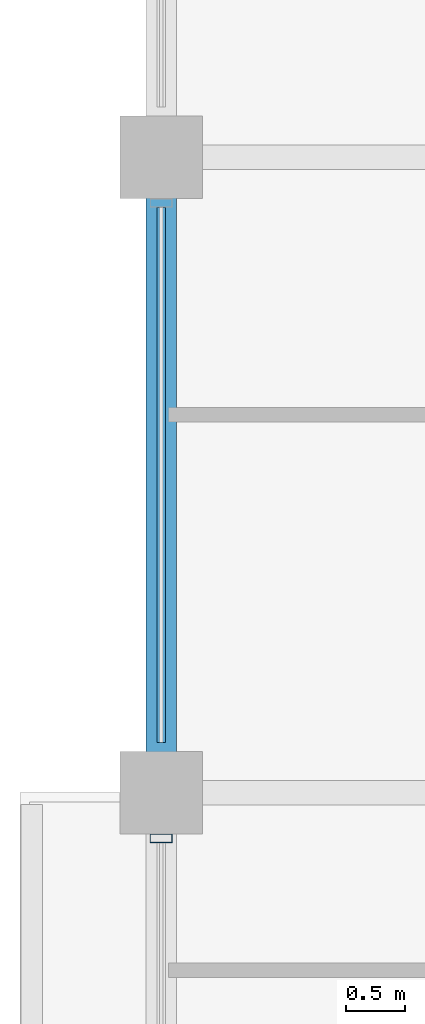
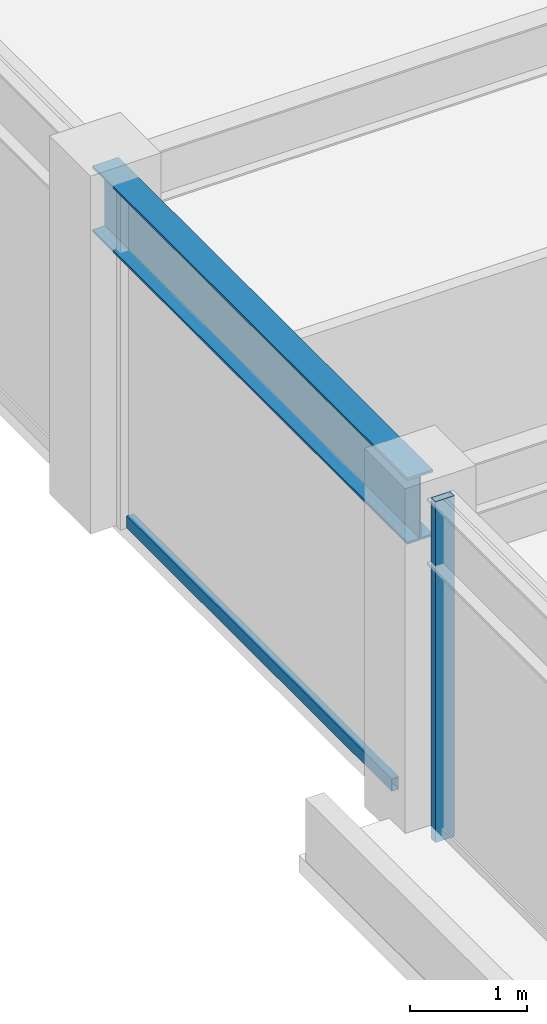
# One storey, part 10 of 30: 2 members, 1 beam, 1 element without a shape of its own.
"""IFC4 building model written with IfcOpenShell, lengths in metres."""

import ifcopenshell
import ifcopenshell.guid

model = None  # the IFC model being written
_history = None  # IfcOwnerHistory: only IFC2X3 demands one
_inside = {}  # id of a spatial element -> (the spatial element, [elements in it])
_under = {}  # id of a project, library or spatial element -> (it, [spatial elements below it])
_declared = {}  # id of a project -> (the project, [libraries it declares])
_typed = {}  # id of a type object -> (the type object, [elements of that type])
_made_of = {}  # id of a material, layer set ... -> (it, [elements and type objects made of it])


def new_model(schema):
    """Start an empty IFC model of exactly this schema.

    Asked for "IFC4X3", IfcOpenShell would pick the latest addendum, in which some entities
    have other attributes; the version numbers below select the first issue.
    IFC2X3 requires an IfcOwnerHistory on every rooted entity: one is made here for all.
    """
    global model, _history
    if schema == "IFC4X3":
        model = ifcopenshell.file(schema_version=(4, 3, 0, 0))
    else:
        model = ifcopenshell.file(schema=schema)
    _inside.clear()
    _under.clear()
    _declared.clear()
    _typed.clear()
    _made_of.clear()
    _history = None
    if model.schema == "IFC2X3":
        org = make("IfcOrganization", Name="unknown")
        user = make(
            "IfcPersonAndOrganization",
            ThePerson=make("IfcPerson", FamilyName="unknown"),
            TheOrganization=org,
        )
        app = make(
            "IfcApplication",
            ApplicationDeveloper=org,
            Version="unknown",
            ApplicationFullName="unknown",
            ApplicationIdentifier="unknown",
        )
        _history = make(
            "IfcOwnerHistory",
            OwningUser=user,
            OwningApplication=app,
            ChangeAction="ADDED",
            CreationDate=0,
        )
    return model


def make(cls, **values):
    """One entity of the class cls with the attributes given. An attribute that is None is left unset."""
    return model.create_entity(
        cls, **{name: value for name, value in values.items() if value is not None}
    )


def rooted(cls, **values):
    """An entity with a GlobalId (a new one), such as an element, a storey or a relation."""
    return make(cls, GlobalId=ifcopenshell.guid.new(), OwnerHistory=_history, **values)


def si_unit(unit_type, name, prefix=None):
    """IfcSIUnit, for example si_unit("LENGTHUNIT", "METRE", prefix="MILLI")."""
    return make("IfcSIUnit", UnitType=unit_type, Prefix=prefix, Name=name)


def assignment(units):
    """IfcUnitAssignment: the units of a project."""
    return None if units is None else make("IfcUnitAssignment", Units=units)


def point(xyz):
    """IfcCartesianPoint."""
    return None if xyz is None else make("IfcCartesianPoint", Coordinates=xyz)


def direction(xyz):
    """IfcDirection."""
    return None if xyz is None else make("IfcDirection", DirectionRatios=xyz)


def frame(location, z_axis=None, x_axis=None):
    """IfcAxis2Placement3D, a coordinate frame: its origin and axes. An axis left out is left unset."""
    return make(
        "IfcAxis2Placement3D",
        Location=point(location),
        Axis=direction(z_axis),
        RefDirection=direction(x_axis),
    )


def frame_2d(location, x_axis=None):
    """IfcAxis2Placement2D, a coordinate frame in the plane: its origin and x axis."""
    return make(
        "IfcAxis2Placement2D", Location=point(location), RefDirection=direction(x_axis)
    )


def origin():
    """The frame at (0, 0, 0) with its axes left unset."""
    return frame((0.0, 0.0, 0.0))


def origin_2d():
    """The frame at (0, 0) in the plane with its x axis left unset."""
    return frame_2d((0.0, 0.0))


def place(relative_to, where):
    """IfcLocalPlacement: puts the frame where relative to a parent placement (None: the world)."""
    return make(
        "IfcLocalPlacement", PlacementRelTo=relative_to, RelativePlacement=where
    )


def context(
    kind, dimensions, precision=None, world=None, true_north=None, identifier=None
):
    """IfcGeometricRepresentationContext, for example the 3D "Model" context."""
    return make(
        "IfcGeometricRepresentationContext",
        ContextIdentifier=identifier,
        ContextType=kind,
        CoordinateSpaceDimension=dimensions,
        Precision=precision,
        WorldCoordinateSystem=world,
        TrueNorth=true_north,
    )


def subcontext(parent, identifier, kind, view, scale=None):
    """IfcGeometricRepresentationSubContext, for example "Body" below "Model"."""
    return make(
        "IfcGeometricRepresentationSubContext",
        ContextIdentifier=identifier,
        ContextType=kind,
        ParentContext=parent,
        TargetScale=scale,
        TargetView=view,
    )


def project(units=None, contexts=None):
    """IfcProject with its units and contexts."""
    return rooted(
        "IfcProject",
        Name="project",
        RepresentationContexts=contexts,
        UnitsInContext=assignment(units),
    )


def spatial(cls, under=None, at=None, **own):
    """A site, building, storey or space (cls), placed at a placement, below another one or the project."""
    s = rooted(cls, ObjectPlacement=at, **own)
    if under is not None:
        _under.setdefault(under.id(), (under, []))[1].append(s)
    return s


def profile(cls, at=None, kind="AREA", **sizes):
    """A parametric profile (cls). Its sizes go by their IFC names, for example OverallWidth=200.0."""
    return make(cls, ProfileType=kind, Position=at, **sizes)


def hollow_rectangle(**sizes):
    """IfcRectangleHollowProfileDef."""
    return profile("IfcRectangleHollowProfileDef", **sizes)


def i_section(**sizes):
    """IfcIShapeProfileDef."""
    return profile("IfcIShapeProfileDef", **sizes)


def extrude(swept, where, along, depth):
    """IfcExtrudedAreaSolid: the profile swept, set in the frame where, extruded along a direction by depth."""
    return make(
        "IfcExtrudedAreaSolid",
        SweptArea=swept,
        Position=where,
        ExtrudedDirection=direction(along),
        Depth=depth,
    )


def shape(context_of_items, identifier, shape_type, items):
    """IfcShapeRepresentation: the items that make up one representation, for example the "Body"."""
    return make(
        "IfcShapeRepresentation",
        ContextOfItems=context_of_items,
        RepresentationIdentifier=identifier,
        RepresentationType=shape_type,
        Items=items,
    )


def material(Name=None, Category=None):
    """IfcMaterial."""
    return make("IfcMaterial", Name=Name, Category=Category)


def layer(
    of_material, thickness, ventilated=None, Name=None, Category=None, Priority=None
):
    """IfcMaterialLayer: one layer of a wall or slab, of a material (None: an air gap)."""
    return make(
        "IfcMaterialLayer",
        Material=of_material,
        LayerThickness=thickness,
        IsVentilated=ventilated,
        Name=Name,
        Category=Category,
        Priority=Priority,
    )


def layer_set(layers, Name=None):
    """IfcMaterialLayerSet."""
    return make("IfcMaterialLayerSet", MaterialLayers=layers, LayerSetName=Name)


def material_profile(
    of_material, cross_section, Name=None, Category=None, Priority=None
):
    """IfcMaterialProfile: a cross section and its material."""
    return make(
        "IfcMaterialProfile",
        Name=Name,
        Material=of_material,
        Profile=cross_section,
        Priority=Priority,
        Category=Category,
    )


def profile_set(profiles, Name=None, composite=None):
    """IfcMaterialProfileSet."""
    return make(
        "IfcMaterialProfileSet",
        Name=Name,
        MaterialProfiles=profiles,
        CompositeProfile=composite,
    )


def made_of(thing, what):
    """Note that an element or type object is made of a material, layer set ...; save() writes the relation."""
    if what is not None:
        _made_of.setdefault(what.id(), (what, []))[1].append(thing)
    return thing


def type_object(cls, material=None, **own):
    """A type object (cls), such as IfcWallType, which elements share."""
    return made_of(rooted(cls, **own), material)


def element(
    cls,
    number,
    at=None,
    inside=None,
    cuts=None,
    type_object=None,
    material=None,
    context=None,
    identifier="Body",
    shape_type=None,
    held_by="IfcProductDefinitionShape",
    body=None,
    shapes=None,
    **own,
):
    """One element of the class cls, such as IfcWall. Its Tag is "e" and its number.

    at: its placement. inside: the storey or other place that contains it. cuts: it is an
    opening in that element (IfcRelVoidsElement). A single representation is given by context,
    identifier, shape_type and body (its items); several are given by shapes. held_by: the class
    of the entity that holds the representations. save() writes the other relations.
    """
    e = rooted(cls, Tag="e%d" % number, ObjectPlacement=at, **own)
    if body is not None:
        shapes = [shape(context, identifier, shape_type, body)]
    if shapes is not None:
        e.Representation = make(held_by, Representations=shapes)
    if inside is not None:
        _inside.setdefault(inside.id(), (inside, []))[1].append(e)
    if cuts is not None:
        rooted(
            "IfcRelVoidsElement", RelatingBuildingElement=cuts, RelatedOpeningElement=e
        )
    if type_object is not None:
        _typed.setdefault(type_object.id(), (type_object, []))[1].append(e)
    return made_of(e, material)


def aggregate(whole, parts):
    """IfcRelAggregates: a whole, such as a stair, and the parts it consists of."""
    return rooted("IfcRelAggregates", RelatingObject=whole, RelatedObjects=parts)


def save(model, path):
    """Write the relations noted so far, then the file.

    IfcRelAggregates (storeys below a building ...), IfcRelContainedInSpatialStructure (elements
    in a storey), IfcRelDefinesByType, IfcRelAssociatesMaterial and IfcRelDeclares: one each for
    every whole, place, type object, material and project.
    """
    for whole, parts in _under.values():
        aggregate(whole, parts)
    for where, things in _inside.values():
        rooted(
            "IfcRelContainedInSpatialStructure",
            RelatedElements=things,
            RelatingStructure=where,
        )
    for kind, things in _typed.values():
        rooted("IfcRelDefinesByType", RelatedObjects=things, RelatingType=kind)
    for what, things in _made_of.values():
        rooted("IfcRelAssociatesMaterial", RelatedObjects=things, RelatingMaterial=what)
    for by, libraries in _declared.values():
        rooted("IfcRelDeclares", RelatingContext=by, RelatedDefinitions=libraries)
    model.write(path)


model = new_model("IFC4")

# Units and contexts
model_context = context("Model", 3, precision=1e-05, world=origin(), true_north=direction((0.0, 1.0)))
body_context = subcontext(model_context, "Body", "Model", "MODEL_VIEW")
ifc_project = project(units=[si_unit("LENGTHUNIT", "METRE"), si_unit("AREAUNIT", "SQUARE_METRE"), si_unit("VOLUMEUNIT", "CUBIC_METRE"), si_unit("PLANEANGLEUNIT", "RADIAN"), si_unit("MASSUNIT", "GRAM", prefix="KILO")], contexts=[model_context])

# Site, building, storey
site_placement = place(None, origin())
site = spatial("IfcSite", under=ifc_project, at=site_placement, CompositionType="ELEMENT")
building_placement = place(site_placement, origin())
building = spatial("IfcBuilding", under=site, at=building_placement, Name="Surkhivell Harbour Commons", CompositionType="ELEMENT")
storey_placement = place(building_placement, frame((0.0, 0.0, 281.25)))
storey = spatial("IfcBuildingStorey", under=building, at=storey_placement, Name="L73", CompositionType="ELEMENT", Elevation=281.25)

# Beam
ifc_material_1 = material(Name="Steel S355", Category="steel")
ifc_material_profile_1 = material_profile(ifc_material_1, i_section(OverallWidth=0.256103515625, OverallDepth=0.693115234375, WebThickness=0.014404296875, FlangeThickness=0.023681640625, at=origin_2d()), Name="UB686x254x170")
ifc_profile_set_1 = profile_set([ifc_material_profile_1], Name="Steel S355")
beam_type = type_object("IfcBeamType", Name="BM-SPN-686", PredefinedType="SPANDREL", material=ifc_profile_set_1)
beam_placement = place(storey_placement, frame((-27.0, 5.39990234375, 3.223388671875), z_axis=(0.0, 1.0, 0.0), x_axis=(-1.0, 0.0, 0.0)))
element("IfcBeam", 1, at=beam_placement, inside=storey, type_object=beam_type, Name="L73 Tube Spandrel (-27.0,5.4)", PredefinedType="SPANDREL", context=body_context, shape_type="SweptSolid", body=[
    extrude(i_section(OverallWidth=0.256103515625, OverallDepth=0.693115234375, WebThickness=0.014404296875, FlangeThickness=0.023681640625, at=origin_2d()), origin(), (0.0, 0.0, 1.0), 5.400146484375),
])

# Curtain wall, members
ifc_material_2 = material(Name="Anodised pale-metal aluminium and insulated glazing", Category="aluminium")
ifc_layer = layer(ifc_material_2, 0.175048828125)
ifc_layer_set = layer_set([ifc_layer], Name="Anodised pale-metal aluminium and insulated glazing")
curtain_wall_type = type_object("IfcCurtainWallType", Name="CW-SYS-Z4", PredefinedType="NOTDEFINED", material=ifc_layer_set)
curtain_wall_placement = place(storey_placement, origin())
curtain_wall = element("IfcCurtainWall", 2, at=curtain_wall_placement, inside=storey, type_object=curtain_wall_type, Name="L73 Curtain Wall CW-L73-E12S1", PredefinedType="NOTDEFINED")
ifc_material_3 = material(Name="Anodised pale-metal aluminium alloy 6063-T6", Category="aluminium")
ifc_material_profile_2 = material_profile(ifc_material_3, hollow_rectangle(XDim=0.074951171875, YDim=0.18994140625, WallThickness=0.00390625, at=origin_2d()), Name="ALU-MULL-75x190")
ifc_profile_set_2 = profile_set([ifc_material_profile_2], Name="Anodised pale-metal aluminium alloy 6063-T6")
member_type_1 = type_object("IfcMemberType", Name="CWM-190", PredefinedType="MULLION", material=ifc_profile_set_2)
member_1_placement = place(storey_placement, frame((-27.0, 5.010498046875, 0.0), z_axis=(0.0, 0.0, 1.0), x_axis=(0.0, -1.0, 0.0)))
member_1 = element("IfcMember", 3, at=member_1_placement, type_object=member_type_1, Name="CW-Z4 mullion 4", PredefinedType="MULLION", context=body_context, shape_type="SweptSolid", body=[
    extrude(hollow_rectangle(XDim=0.074951171875, YDim=0.18994140625, WallThickness=0.00390625, at=origin_2d()), origin(), (0.0, 0.0, 1.0), 3.570068359375),
])
ifc_material_4 = material(Name="Champagne anodised aluminium alloy 6063-T6", Category="aluminium")
ifc_material_profile_3 = material_profile(ifc_material_4, hollow_rectangle(XDim=0.070068359375, YDim=0.1298828125, WallThickness=0.00341796875, at=origin_2d()), Name="ALU-TRAN-70x130")
ifc_profile_set_3 = profile_set([ifc_material_profile_3], Name="Champagne anodised aluminium alloy 6063-T6")
member_type_2 = type_object("IfcMemberType", Name="CWT-130", PredefinedType="USERDEFINED", material=ifc_profile_set_3)
member_2_placement = place(storey_placement, frame((-27.0, 10.373046875, 0.06494140625), z_axis=(0.0, -1.0, 0.0), x_axis=(1.0, 0.0, 0.0)))
member_2 = element("IfcMember", 4, at=member_2_placement, type_object=member_type_2, Name="CW-Z4 transom 3.1", ObjectType="TRANSOM", PredefinedType="USERDEFINED", context=body_context, shape_type="SweptSolid", body=[
    extrude(hollow_rectangle(XDim=0.070068359375, YDim=0.1298828125, WallThickness=0.00341796875, at=origin_2d()), origin(), (0.0, 0.0, 1.0), 4.546142578125),
])
aggregate(curtain_wall, [member_2, member_1])

save(model, "model.ifc")
